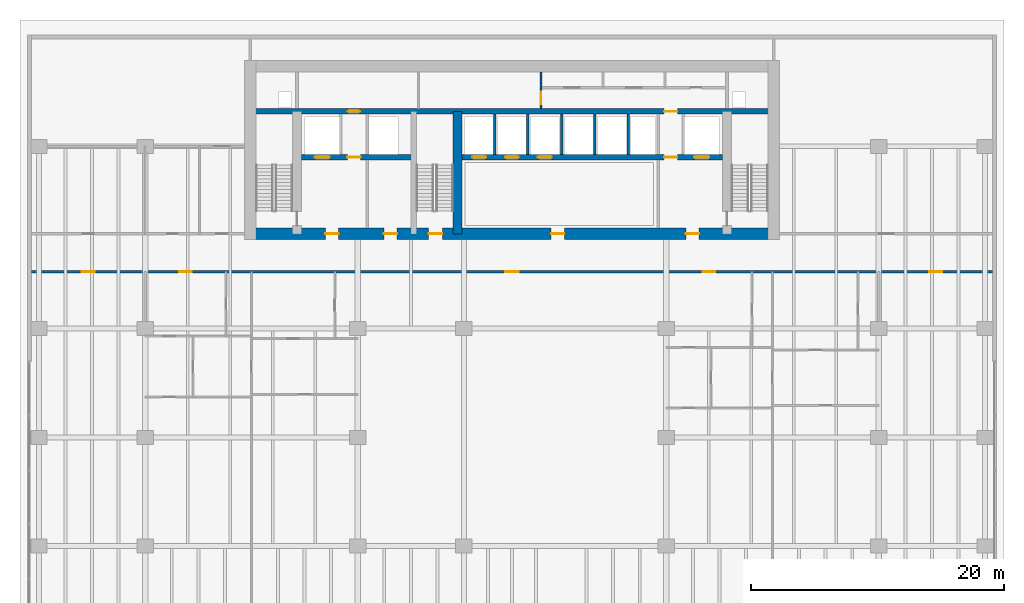
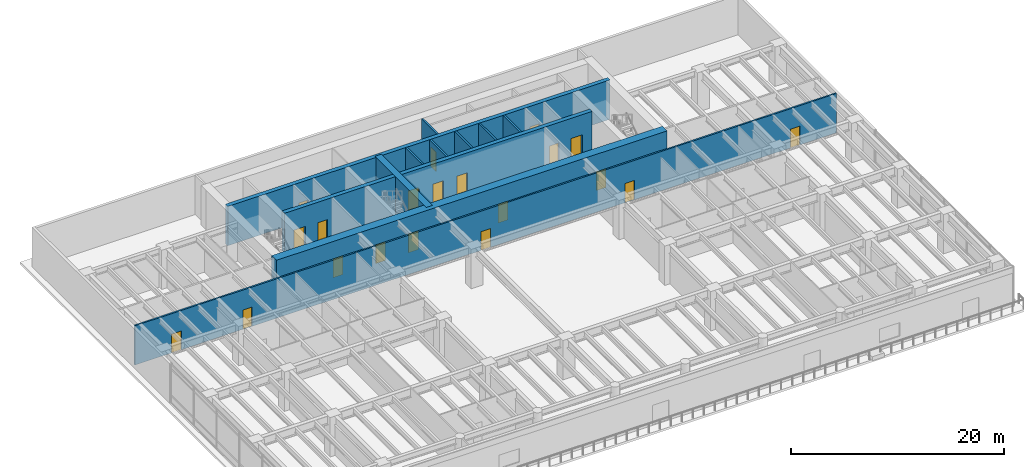
# One storey, part 10 of 17: 20 doors, 11 walls, 20 openings.
"""IFC4 building model written with IfcOpenShell, lengths in metres."""

from ifc_helpers import new_model, si_unit, direction, frame, frame_2d, origin, place, context, subcontext, project, spatial, rectangle, extrude, material, layer, layer_set, type_object, element, fill, save


model = new_model("IFC4")

# Units and contexts
model_context = context("Model", 3, precision=1e-05, world=origin(), true_north=direction((0.0, 1.0)))
body_context = subcontext(model_context, "Body", "Model", "MODEL_VIEW")
ifc_project = project(units=[si_unit("LENGTHUNIT", "METRE"), si_unit("AREAUNIT", "SQUARE_METRE"), si_unit("VOLUMEUNIT", "CUBIC_METRE"), si_unit("PLANEANGLEUNIT", "RADIAN"), si_unit("MASSUNIT", "GRAM", prefix="KILO")], contexts=[model_context])

# Site, building, storey
site_placement = place(None, origin())
site = spatial("IfcSite", under=ifc_project, at=site_placement, CompositionType="ELEMENT")
building_placement = place(site_placement, origin())
building = spatial("IfcBuilding", under=site, at=building_placement, Name="Caelmar Bay Residences", CompositionType="ELEMENT")
storey_placement = place(building_placement, frame((0.0, 0.0, 10.199951171875)))
storey = spatial("IfcBuildingStorey", under=building, at=storey_placement, Name="L02", CompositionType="ELEMENT", Elevation=10.199951171875)

# Wall
ifc_material_1 = material(Name="Concrete f'c 55 MPa (8,000 psi)", Category="concrete")
ifc_layer_1 = layer(ifc_material_1, 0.699951171875)
ifc_layer_set_1 = layer_set([ifc_layer_1], Name="Concrete f'c 55 MPa (8,000 psi)")
wall_type_1 = type_object("IfcWallType", Name="SW-COR-700", PredefinedType="SHEAR", material=ifc_layer_set_1)
wall_1_placement = place(storey_placement, frame((34.60009765625, 36.89990234375, 0.0), z_axis=(0.0, 0.0, 1.0), x_axis=(0.0, 1.0, 0.0)))
element("IfcWall", 1, at=wall_1_placement, inside=storey, type_object=wall_type_1, Name="L02 Core Structural Web Wall ST3E", PredefinedType="SHEAR", context=body_context, shape_type="SweptSolid", body=[
    extrude(rectangle(XDim=9.675048828125, YDim=0.699951171875, at=frame_2d((4.83740234375, 0.0))), origin(), (0.0, 0.0, 1.0), 4.5),
])

# Wall, openings, doors
ifc_material_2 = material(Name="Concrete f'c 70 MPa (10,000 psi)", Category="concrete")
ifc_layer_2 = layer(ifc_material_2, 0.89990234375)
ifc_layer_set_2 = layer_set([ifc_layer_2], Name="Concrete f'c 70 MPa (10,000 psi)")
wall_type_2 = type_object("IfcWallType", Name="SW-COR-900", PredefinedType="SHEAR", material=ifc_layer_set_2)
wall_2_placement = place(storey_placement, frame((17.75, 36.89990234375, 0.0), z_axis=(0.0, 0.0, 1.0), x_axis=(1.0, 0.0, 0.0)))
wall_2 = element("IfcWall", 2, at=wall_2_placement, inside=storey, type_object=wall_type_2, Name="L02 Rear Core South Shear Wall", PredefinedType="SHEAR", context=body_context, shape_type="SweptSolid", body=[
    extrude(rectangle(XDim=42.300048828125, YDim=0.89990234375, at=frame_2d((21.14990234375, 0.0))), origin(), (0.0, 0.0, 1.0), 4.5),
])
opening_1_placement = place(wall_2_placement, frame((14.550048828125, 0.0, 0.0)))
opening_1 = element("IfcOpeningElement", 3, at=opening_1_placement, cuts=wall_2, Name="Opening D-L02-106", PredefinedType="OPENING", context=body_context, shape_type="SweptSolid", body=[
    extrude(rectangle(XDim=1.10009765625, YDim=2.14990234375, at=frame_2d((0.550048828125, 1.074951171875))), frame((0.0, 0.4599609375, 0.0), z_axis=(0.0, -1.0, 0.0), x_axis=(1.0, 0.0, 0.0)), (0.0, 0.0, 1.0), 0.919921875),
])
opening_2_placement = place(wall_2_placement, frame((6.39990234375, 0.0, 0.0)))
opening_2 = element("IfcOpeningElement", 4, at=opening_2_placement, cuts=wall_2, Name="Opening D-L02-107", PredefinedType="OPENING", context=body_context, shape_type="SweptSolid", body=[
    extrude(rectangle(XDim=1.050048828125, YDim=2.14990234375, at=frame_2d((0.52490234375, 1.074951171875))), frame((0.0, 0.4599609375, 0.0), z_axis=(0.0, -1.0, 0.0), x_axis=(1.0, 0.0, 0.0)), (0.0, 0.0, 1.0), 0.919921875),
])
opening_3_placement = place(wall_2_placement, frame((34.89990234375, 0.0, 0.0)))
opening_3 = element("IfcOpeningElement", 5, at=opening_3_placement, cuts=wall_2, Name="Opening D-L02-110", PredefinedType="OPENING", context=body_context, shape_type="SweptSolid", body=[
    extrude(rectangle(XDim=1.050048828125, YDim=2.14990234375, at=frame_2d((0.52490234375, 1.074951171875))), frame((0.0, 0.4599609375, 0.0), z_axis=(0.0, -1.0, 0.0), x_axis=(1.0, 0.0, 0.0)), (0.0, 0.0, 1.0), 0.919921875),
])
opening_4_placement = place(wall_2_placement, frame((11.012451171875, 0.0, 0.0)))
opening_4 = element("IfcOpeningElement", 6, at=opening_4_placement, cuts=wall_2, Name="Opening D-L02-113", PredefinedType="OPENING", context=body_context, shape_type="SweptSolid", body=[
    extrude(rectangle(XDim=1.050048828125, YDim=2.14990234375, at=frame_2d((0.52490234375, 1.074951171875))), frame((0.0, 0.4599609375, 0.0), z_axis=(0.0, -1.0, 0.0), x_axis=(1.0, 0.0, 0.0)), (0.0, 0.0, 1.0), 0.919921875),
])
opening_5_placement = place(wall_2_placement, frame((24.25, 0.0, 0.0)))
opening_5 = element("IfcOpeningElement", 7, at=opening_5_placement, cuts=wall_2, Name="Opening D-L02-114", PredefinedType="OPENING", context=body_context, shape_type="SweptSolid", body=[
    extrude(rectangle(XDim=1.050048828125, YDim=2.14990234375, at=frame_2d((0.52490234375, 1.074951171875))), frame((0.0, 0.4599609375, 0.0), z_axis=(0.0, -1.0, 0.0), x_axis=(1.0, 0.0, 0.0)), (0.0, 0.0, 1.0), 0.919921875),
])
ifc_material_3 = material(Name="Fire-rated steel and walnut architectural door assembly", Category="steel")
ifc_layer_3 = layer(ifc_material_3, 0.050048828125)
ifc_layer_set_3 = layer_set([ifc_layer_3], Name="Fire-rated steel and walnut architectural door assembly")
door_type_1 = type_object("IfcDoorType", Name="D-FSAE-1050", OperationType="NOTDEFINED", PredefinedType="DOOR", material=ifc_layer_set_3)
door_1_placement = place(opening_2_placement, origin())
door_1 = element("IfcDoor", 8, at=door_1_placement, inside=storey, type_object=door_type_1, Name="L02 Firefighting Lobby West Door", OperationType="SINGLE_SWING_LEFT", OverallHeight=2.14990234375, OverallWidth=1.050048828125, PredefinedType="DOOR", context=body_context, shape_type="SweptSolid", body=[
    extrude(rectangle(XDim=1.050048828125, YDim=2.14990234375, at=frame_2d((0.52490234375, 1.074951171875))), frame((0.0, 0.02490234375, 0.0), z_axis=(0.0, -1.0, 0.0), x_axis=(1.0, 0.0, 0.0)), (0.0, 0.0, 1.0), 0.050048828125),
])
fill(opening_2, door_1)
door_2_placement = place(opening_3_placement, origin())
door_2 = element("IfcDoor", 9, at=door_2_placement, inside=storey, type_object=door_type_1, Name="L02 Firefighting Lobby East Door", OperationType="SINGLE_SWING_RIGHT", OverallHeight=2.14990234375, OverallWidth=1.050048828125, PredefinedType="DOOR", context=body_context, shape_type="SweptSolid", body=[
    extrude(rectangle(XDim=1.050048828125, YDim=2.14990234375, at=frame_2d((0.52490234375, 1.074951171875))), frame((0.0, 0.02490234375, 0.0), z_axis=(0.0, -1.0, 0.0), x_axis=(1.0, 0.0, 0.0)), (0.0, 0.0, 1.0), 0.050048828125),
])
fill(opening_3, door_2)
door_3_placement = place(opening_4_placement, origin())
door_3 = element("IfcDoor", 10, at=door_3_placement, inside=storey, type_object=door_type_1, Name="L02 West Lift Lobby Door", OperationType="SINGLE_SWING_LEFT", OverallHeight=2.14990234375, OverallWidth=1.050048828125, PredefinedType="DOOR", context=body_context, shape_type="SweptSolid", body=[
    extrude(rectangle(XDim=1.050048828125, YDim=2.14990234375, at=frame_2d((0.52490234375, 1.074951171875))), frame((0.0, 0.02490234375, 0.0), z_axis=(0.0, -1.0, 0.0), x_axis=(1.0, 0.0, 0.0)), (0.0, 0.0, 1.0), 0.050048828125),
])
fill(opening_4, door_3)
door_4_placement = place(opening_5_placement, origin())
door_4 = element("IfcDoor", 11, at=door_4_placement, inside=storey, type_object=door_type_1, Name="L02 Passenger Lift Lobby Door", OperationType="SINGLE_SWING_RIGHT", OverallHeight=2.14990234375, OverallWidth=1.050048828125, PredefinedType="DOOR", context=body_context, shape_type="SweptSolid", body=[
    extrude(rectangle(XDim=1.050048828125, YDim=2.14990234375, at=frame_2d((0.52490234375, 1.074951171875))), frame((0.0, 0.02490234375, 0.0), z_axis=(0.0, -1.0, 0.0), x_axis=(1.0, 0.0, 0.0)), (0.0, 0.0, 1.0), 0.050048828125),
])
fill(opening_5, door_4)
ifc_layer_4 = layer(ifc_material_3, 0.050048828125)
ifc_layer_set_4 = layer_set([ifc_layer_4], Name="Fire-rated steel and walnut architectural door assembly")
door_type_2 = type_object("IfcDoorType", Name="D-STAIR-1100", OperationType="NOTDEFINED", PredefinedType="DOOR", material=ifc_layer_set_4)
door_5_placement = place(opening_1_placement, origin())
door_5 = element("IfcDoor", 12, at=door_5_placement, inside=storey, type_object=door_type_2, Name="L02 Exit Stair ST3 Door", OperationType="SINGLE_SWING_RIGHT", OverallHeight=2.14990234375, OverallWidth=1.10009765625, PredefinedType="DOOR", context=body_context, shape_type="SweptSolid", body=[
    extrude(rectangle(XDim=1.10009765625, YDim=2.14990234375, at=frame_2d((0.550048828125, 1.074951171875))), frame((0.0, 0.02490234375, 0.0), z_axis=(0.0, -1.0, 0.0), x_axis=(1.0, 0.0, 0.0)), (0.0, 0.0, 1.0), 0.050048828125),
])
fill(opening_1, door_5)

ifc_layer_5 = layer(ifc_material_2, 0.449951171875)
ifc_layer_set_5 = layer_set([ifc_layer_5], Name="Concrete f'c 70 MPa (10,000 psi)")
wall_type_3 = type_object("IfcWallType", Name="SW-WEB-450", PredefinedType="SHEAR", material=ifc_layer_set_5)
wall_3_placement = place(storey_placement, frame((22.25, 42.949951171875, 0.0), z_axis=(0.0, 0.0, 1.0), x_axis=(1.0, 0.0, 0.0)))
wall_3 = element("IfcWall", 13, at=wall_3_placement, inside=storey, type_object=wall_type_3, Name="L02 Core Structural Web Wall LFR", PredefinedType="SHEAR", context=body_context, shape_type="SweptSolid", body=[
    extrude(rectangle(XDim=33.300048828125, YDim=0.449951171875, at=frame_2d((16.64990234375, 0.0))), origin(), (0.0, 0.0, 1.0), 4.5),
])
opening_6_placement = place(wall_3_placement, frame((1.050048828125, 0.0, 0.0)))
opening_6 = element("IfcOpeningElement", 14, at=opening_6_placement, cuts=wall_3, Name="Opening LD2", PredefinedType="OPENING", context=body_context, shape_type="SweptSolid", body=[
    extrude(rectangle(XDim=1.199951171875, YDim=2.199951171875, at=frame_2d((0.60009765625, 1.10009765625))), frame((0.0, 0.23486328125, 0.0), z_axis=(0.0, -1.0, 0.0), x_axis=(1.0, 0.0, 0.0)), (0.0, 0.0, 1.0), 0.469970703125),
])
opening_7_placement = place(wall_3_placement, frame((31.050048828125, 0.0, 0.0)))
opening_7 = element("IfcOpeningElement", 15, at=opening_7_placement, cuts=wall_3, Name="Opening LD2", PredefinedType="OPENING", context=body_context, shape_type="SweptSolid", body=[
    extrude(rectangle(XDim=1.199951171875, YDim=2.199951171875, at=frame_2d((0.60009765625, 1.10009765625))), frame((0.0, 0.23486328125, 0.0), z_axis=(0.0, -1.0, 0.0), x_axis=(1.0, 0.0, 0.0)), (0.0, 0.0, 1.0), 0.469970703125),
])
opening_8_placement = place(wall_3_placement, frame((13.5, 0.0, 0.0)))
opening_8 = element("IfcOpeningElement", 16, at=opening_8_placement, cuts=wall_3, Name="Opening LD1", PredefinedType="OPENING", context=body_context, shape_type="SweptSolid", body=[
    extrude(rectangle(XDim=1.10009765625, YDim=2.199951171875, at=frame_2d((0.550048828125, 1.10009765625))), frame((0.0, 0.23486328125, 0.0), z_axis=(0.0, -1.0, 0.0), x_axis=(1.0, 0.0, 0.0)), (0.0, 0.0, 1.0), 0.469970703125),
])
opening_9_placement = place(wall_3_placement, frame((16.10009765625, 0.0, 0.0)))
opening_9 = element("IfcOpeningElement", 17, at=opening_9_placement, cuts=wall_3, Name="Opening LD1", PredefinedType="OPENING", context=body_context, shape_type="SweptSolid", body=[
    extrude(rectangle(XDim=1.10009765625, YDim=2.199951171875, at=frame_2d((0.550048828125, 1.10009765625))), frame((0.0, 0.23486328125, 0.0), z_axis=(0.0, -1.0, 0.0), x_axis=(1.0, 0.0, 0.0)), (0.0, 0.0, 1.0), 0.469970703125),
])
opening_10_placement = place(wall_3_placement, frame((18.699951171875, 0.0, 0.0)))
opening_10 = element("IfcOpeningElement", 18, at=opening_10_placement, cuts=wall_3, Name="Opening LD1", PredefinedType="OPENING", context=body_context, shape_type="SweptSolid", body=[
    extrude(rectangle(XDim=1.10009765625, YDim=2.199951171875, at=frame_2d((0.550048828125, 1.10009765625))), frame((0.0, 0.23486328125, 0.0), z_axis=(0.0, -1.0, 0.0), x_axis=(1.0, 0.0, 0.0)), (0.0, 0.0, 1.0), 0.469970703125),
])
opening_11_placement = place(wall_3_placement, frame((3.625, 0.0, 0.0)))
opening_11 = element("IfcOpeningElement", 19, at=opening_11_placement, cuts=wall_3, Name="Opening D-L02-109", PredefinedType="OPENING", context=body_context, shape_type="SweptSolid", body=[
    extrude(rectangle(XDim=1.050048828125, YDim=2.14990234375, at=frame_2d((0.52490234375, 1.074951171875))), frame((0.0, 0.23486328125, 0.0), z_axis=(0.0, -1.0, 0.0), x_axis=(1.0, 0.0, 0.0)), (0.0, 0.0, 1.0), 0.469970703125),
])
opening_12_placement = place(wall_3_placement, frame((28.675048828125, 0.0, 0.0)))
opening_12 = element("IfcOpeningElement", 20, at=opening_12_placement, cuts=wall_3, Name="Opening D-L02-112", PredefinedType="OPENING", context=body_context, shape_type="SweptSolid", body=[
    extrude(rectangle(XDim=1.050048828125, YDim=2.14990234375, at=frame_2d((0.52490234375, 1.074951171875))), frame((0.0, 0.23486328125, 0.0), z_axis=(0.0, -1.0, 0.0), x_axis=(1.0, 0.0, 0.0)), (0.0, 0.0, 1.0), 0.469970703125),
])
door_6_placement = place(opening_11_placement, origin())
door_6 = element("IfcDoor", 21, at=door_6_placement, inside=storey, type_object=door_type_1, Name="L02 Firefighting Lobby West Door", OperationType="SINGLE_SWING_LEFT", OverallHeight=2.14990234375, OverallWidth=1.050048828125, PredefinedType="DOOR", context=body_context, shape_type="SweptSolid", body=[
    extrude(rectangle(XDim=1.050048828125, YDim=2.14990234375, at=frame_2d((0.52490234375, 1.074951171875))), frame((0.0, 0.02490234375, 0.0), z_axis=(0.0, -1.0, 0.0), x_axis=(1.0, 0.0, 0.0)), (0.0, 0.0, 1.0), 0.050048828125),
])
fill(opening_11, door_6)
door_7_placement = place(opening_12_placement, origin())
door_7 = element("IfcDoor", 22, at=door_7_placement, inside=storey, type_object=door_type_1, Name="L02 Firefighting Lobby East Door", OperationType="SINGLE_SWING_RIGHT", OverallHeight=2.14990234375, OverallWidth=1.050048828125, PredefinedType="DOOR", context=body_context, shape_type="SweptSolid", body=[
    extrude(rectangle(XDim=1.050048828125, YDim=2.14990234375, at=frame_2d((0.52490234375, 1.074951171875))), frame((0.0, 0.02490234375, 0.0), z_axis=(0.0, -1.0, 0.0), x_axis=(1.0, 0.0, 0.0)), (0.0, 0.0, 1.0), 0.050048828125),
])
fill(opening_12, door_7)
ifc_material_4 = material(Name="Brushed bronze stainless-steel fire-rated lift landing doors", Category="steel")
ifc_layer_6 = layer(ifc_material_4, 0.050048828125)
ifc_layer_set_6 = layer_set([ifc_layer_6], Name="Brushed bronze stainless-steel fire-rated lift landing doors")
door_type_3 = type_object("IfcDoorType", Name="D-LND-1100", OperationType="DOUBLE_DOOR_SLIDING", PredefinedType="DOOR", material=ifc_layer_set_6)
door_8_placement = place(opening_8_placement, origin())
door_8 = element("IfcDoor", 23, at=door_8_placement, inside=storey, type_object=door_type_3, Name="L02 LP1 Sliding Landing Door", OperationType="DOUBLE_DOOR_SLIDING", OverallHeight=2.199951171875, OverallWidth=1.10009765625, PredefinedType="DOOR", context=body_context, shape_type="SweptSolid", body=[
    extrude(rectangle(XDim=1.10009765625, YDim=2.199951171875, at=frame_2d((0.550048828125, 1.10009765625))), frame((0.0, 0.02490234375, 0.0), z_axis=(0.0, -1.0, 0.0), x_axis=(1.0, 0.0, 0.0)), (0.0, 0.0, 1.0), 0.050048828125),
])
fill(opening_8, door_8)
door_9_placement = place(opening_9_placement, origin())
door_9 = element("IfcDoor", 24, at=door_9_placement, inside=storey, type_object=door_type_3, Name="L02 LP2 Sliding Landing Door", OperationType="DOUBLE_DOOR_SLIDING", OverallHeight=2.199951171875, OverallWidth=1.10009765625, PredefinedType="DOOR", context=body_context, shape_type="SweptSolid", body=[
    extrude(rectangle(XDim=1.10009765625, YDim=2.199951171875, at=frame_2d((0.550048828125, 1.10009765625))), frame((0.0, 0.02490234375, 0.0), z_axis=(0.0, -1.0, 0.0), x_axis=(1.0, 0.0, 0.0)), (0.0, 0.0, 1.0), 0.050048828125),
])
fill(opening_9, door_9)
door_10_placement = place(opening_10_placement, origin())
door_10 = element("IfcDoor", 25, at=door_10_placement, inside=storey, type_object=door_type_3, Name="L02 LP3 Sliding Landing Door", OperationType="DOUBLE_DOOR_SLIDING", OverallHeight=2.199951171875, OverallWidth=1.10009765625, PredefinedType="DOOR", context=body_context, shape_type="SweptSolid", body=[
    extrude(rectangle(XDim=1.10009765625, YDim=2.199951171875, at=frame_2d((0.550048828125, 1.10009765625))), frame((0.0, 0.02490234375, 0.0), z_axis=(0.0, -1.0, 0.0), x_axis=(1.0, 0.0, 0.0)), (0.0, 0.0, 1.0), 0.050048828125),
])
fill(opening_10, door_10)
ifc_material_5 = material(Name="Brushed stainless-steel FSAE sliding landing door", Category="steel")
ifc_layer_7 = layer(ifc_material_5, 0.050048828125)
ifc_layer_set_7 = layer_set([ifc_layer_7], Name="Brushed stainless-steel FSAE sliding landing door")
door_type_4 = type_object("IfcDoorType", Name="D-LND-1200", OperationType="DOUBLE_DOOR_SLIDING", PredefinedType="DOOR", material=ifc_layer_set_7)
door_11_placement = place(opening_6_placement, origin())
door_11 = element("IfcDoor", 26, at=door_11_placement, inside=storey, type_object=door_type_4, Name="L02 LF1 Sliding Landing Door", OperationType="DOUBLE_DOOR_SLIDING", OverallHeight=2.199951171875, OverallWidth=1.199951171875, PredefinedType="DOOR", context=body_context, shape_type="SweptSolid", body=[
    extrude(rectangle(XDim=1.199951171875, YDim=2.199951171875, at=frame_2d((0.60009765625, 1.10009765625))), frame((0.0, 0.02490234375, 0.0), z_axis=(0.0, -1.0, 0.0), x_axis=(1.0, 0.0, 0.0)), (0.0, 0.0, 1.0), 0.050048828125),
])
fill(opening_6, door_11)
door_12_placement = place(opening_7_placement, origin())
door_12 = element("IfcDoor", 27, at=door_12_placement, inside=storey, type_object=door_type_4, Name="L02 LF2 Sliding Landing Door", OperationType="DOUBLE_DOOR_SLIDING", OverallHeight=2.199951171875, OverallWidth=1.199951171875, PredefinedType="DOOR", context=body_context, shape_type="SweptSolid", body=[
    extrude(rectangle(XDim=1.199951171875, YDim=2.199951171875, at=frame_2d((0.60009765625, 1.10009765625))), frame((0.0, 0.02490234375, 0.0), z_axis=(0.0, -1.0, 0.0), x_axis=(1.0, 0.0, 0.0)), (0.0, 0.0, 1.0), 0.050048828125),
])
fill(opening_7, door_12)

wall_4_placement = place(storey_placement, frame((18.199951171875, 46.574951171875, 0.0), z_axis=(0.0, 0.0, 1.0), x_axis=(1.0, 0.0, 0.0)))
wall_4 = element("IfcWall", 28, at=wall_4_placement, inside=storey, type_object=wall_type_3, Name="L02 Core Structural Web Wall SRVS", PredefinedType="SHEAR", context=body_context, shape_type="SweptSolid", body=[
    extrude(rectangle(XDim=41.400146484375, YDim=0.449951171875, at=frame_2d((20.7001953125, 0.0))), origin(), (0.0, 0.0, 1.0), 4.5),
])
opening_13_placement = place(wall_4_placement, frame((7.699951171875, 0.0, 0.0)))
opening_13 = element("IfcOpeningElement", 29, at=opening_13_placement, cuts=wall_4, Name="Opening D-L02-115", PredefinedType="OPENING", context=body_context, shape_type="SweptSolid", body=[
    extrude(rectangle(XDim=1.0, YDim=2.199951171875, at=frame_2d((0.5, 1.10009765625))), frame((0.0, 0.23486328125, 0.0), z_axis=(0.0, -1.0, 0.0), x_axis=(1.0, 0.0, 0.0)), (0.0, 0.0, 1.0), 0.469970703125),
])
opening_14_placement = place(wall_4_placement, frame((32.72509765625, 0.0, 0.0)))
opening_14 = element("IfcOpeningElement", 30, at=opening_14_placement, cuts=wall_4, Name="Opening D-L02-116", PredefinedType="OPENING", context=body_context, shape_type="SweptSolid", body=[
    extrude(rectangle(XDim=1.050048828125, YDim=2.14990234375, at=frame_2d((0.52490234375, 1.074951171875))), frame((0.0, 0.23486328125, 0.0), z_axis=(0.0, -1.0, 0.0), x_axis=(1.0, 0.0, 0.0)), (0.0, 0.0, 1.0), 0.469970703125),
])
door_13_placement = place(opening_14_placement, origin())
door_13 = element("IfcDoor", 31, at=door_13_placement, inside=storey, type_object=door_type_1, Name="L02 East Core Service Corridor Door", OperationType="SINGLE_SWING_RIGHT", OverallHeight=2.14990234375, OverallWidth=1.050048828125, PredefinedType="DOOR", context=body_context, shape_type="SweptSolid", body=[
    extrude(rectangle(XDim=1.050048828125, YDim=2.14990234375, at=frame_2d((0.52490234375, 1.074951171875))), frame((0.0, 0.02490234375, 0.0), z_axis=(0.0, -1.0, 0.0), x_axis=(1.0, 0.0, 0.0)), (0.0, 0.0, 1.0), 0.050048828125),
])
fill(opening_14, door_13)
ifc_layer_8 = layer(ifc_material_3, 0.050048828125)
ifc_layer_set_8 = layer_set([ifc_layer_8], Name="Fire-rated steel and walnut architectural door assembly")
door_type_5 = type_object("IfcDoorType", Name="D-UNIT-1000", OperationType="NOTDEFINED", PredefinedType="DOOR", material=ifc_layer_set_8)
door_14_placement = place(opening_13_placement, origin())
door_14 = element("IfcDoor", 32, at=door_14_placement, inside=storey, type_object=door_type_5, Name="L02 Package Concierge Office Door", OperationType="SINGLE_SWING_LEFT", OverallHeight=2.199951171875, OverallWidth=1.0, PredefinedType="DOOR", context=body_context, shape_type="SweptSolid", body=[
    extrude(rectangle(XDim=1.0, YDim=2.199951171875, at=frame_2d((0.5, 1.10009765625))), frame((0.0, 0.02490234375, 0.0), z_axis=(0.0, -1.0, 0.0), x_axis=(1.0, 0.0, 0.0)), (0.0, 0.0, 1.0), 0.050048828125),
])
fill(opening_13, door_14)

# Wall, opening, door
ifc_material_6 = material(Name="Double-stud acoustic fire-rated gypsum partition 180 mm")
ifc_layer_9 = layer(ifc_material_6, 0.179931640625)
ifc_layer_set_9 = layer_set([ifc_layer_9], Name="Double-stud acoustic fire-rated gypsum partition 180 mm")
wall_type_4 = type_object("IfcWallType", Name="W-COR-200", PredefinedType="PARTITIONING", material=ifc_layer_set_9)
wall_5_placement = place(storey_placement, frame((41.199951171875, 46.794921875, 0.0), z_axis=(0.0, 0.0, 1.0), x_axis=(0.0, 1.0, 0.0)))
wall_5 = element("IfcWall", 33, at=wall_5_placement, inside=storey, type_object=wall_type_4, Name="L02 Partition Wall V017", PredefinedType="PARTITIONING", context=body_context, shape_type="SweptSolid", body=[
    extrude(rectangle(XDim=2.91015625, YDim=0.179931640625, at=frame_2d((1.455078125, 0.0))), origin(), (0.0, 0.0, 1.0), 4.5),
])
opening_15_placement = place(wall_5_placement, frame((0.327392578125, 0.0, 0.0)))
opening_15 = element("IfcOpeningElement", 34, at=opening_15_placement, cuts=wall_5, Name="Opening D-L02-117", PredefinedType="OPENING", context=body_context, shape_type="SweptSolid", body=[
    extrude(rectangle(XDim=1.0, YDim=2.199951171875, at=frame_2d((0.5, 1.10009765625))), frame((0.0, 0.099853515625, 0.0), z_axis=(0.0, -1.0, 0.0), x_axis=(1.0, 0.0, 0.0)), (0.0, 0.0, 1.0), 0.199951171875),
])
door_15_placement = place(opening_15_placement, origin())
door_15 = element("IfcDoor", 35, at=door_15_placement, inside=storey, type_object=door_type_5, Name="L02 Engineering Control Office Door", OperationType="SINGLE_SWING_LEFT", OverallHeight=2.199951171875, OverallWidth=1.0, PredefinedType="DOOR", context=body_context, shape_type="SweptSolid", body=[
    extrude(rectangle(XDim=1.0, YDim=2.199951171875, at=frame_2d((0.5, 1.10009765625))), frame((0.0, 0.02490234375, 0.0), z_axis=(0.0, -1.0, 0.0), x_axis=(1.0, 0.0, 0.0)), (0.0, 0.0, 1.0), 0.050048828125),
])
fill(opening_15, door_15)

# Wall, openings, doors
wall_6_placement = place(storey_placement, frame((0.89501953125, 33.89990234375, 0.0), z_axis=(0.0, 0.0, 1.0), x_axis=(1.0, 0.0, 0.0)))
wall_6 = element("IfcWall", 36, at=wall_6_placement, inside=storey, type_object=wall_type_4, Name="L02 Partition Wall H044", PredefinedType="PARTITIONING", context=body_context, shape_type="SweptSolid", body=[
    extrude(rectangle(XDim=76.010009765625, YDim=0.179931640625, at=frame_2d((38.0048828125, 0.0))), origin(), (0.0, 0.0, 1.0), 4.5),
])
opening_16_placement = place(wall_6_placement, frame((3.9775390625, 0.0, 0.0)))
opening_16 = element("IfcOpeningElement", 37, at=opening_16_placement, cuts=wall_6, Name="Opening D-L02-121", PredefinedType="OPENING", context=body_context, shape_type="SweptSolid", body=[
    extrude(rectangle(XDim=1.050048828125, YDim=2.14990234375, at=frame_2d((0.52490234375, 1.074951171875))), frame((0.0, 0.099853515625, 0.0), z_axis=(0.0, -1.0, 0.0), x_axis=(1.0, 0.0, 0.0)), (0.0, 0.0, 1.0), 0.199951171875),
])
opening_17_placement = place(wall_6_placement, frame((11.695068359375, 0.0, 0.0)))
opening_17 = element("IfcOpeningElement", 38, at=opening_17_placement, cuts=wall_6, Name="Opening D-L02-122", PredefinedType="OPENING", context=body_context, shape_type="SweptSolid", body=[
    extrude(rectangle(XDim=1.0, YDim=2.199951171875, at=frame_2d((0.5, 1.10009765625))), frame((0.0, 0.099853515625, 0.0), z_axis=(0.0, -1.0, 0.0), x_axis=(1.0, 0.0, 0.0)), (0.0, 0.0, 1.0), 0.199951171875),
])
opening_18_placement = place(wall_6_placement, frame((37.47998046875, 0.0, 0.0)))
opening_18 = element("IfcOpeningElement", 39, at=opening_18_placement, cuts=wall_6, Name="Opening D-L02-132", PredefinedType="OPENING", context=body_context, shape_type="SweptSolid", body=[
    extrude(rectangle(XDim=1.050048828125, YDim=2.14990234375, at=frame_2d((0.52490234375, 1.074951171875))), frame((0.0, 0.099853515625, 0.0), z_axis=(0.0, -1.0, 0.0), x_axis=(1.0, 0.0, 0.0)), (0.0, 0.0, 1.0), 0.199951171875),
])
opening_19_placement = place(wall_6_placement, frame((53.08544921875, 0.0, 0.0)))
opening_19 = element("IfcOpeningElement", 40, at=opening_19_placement, cuts=wall_6, Name="Opening D-L02-133", PredefinedType="OPENING", context=body_context, shape_type="SweptSolid", body=[
    extrude(rectangle(XDim=1.0, YDim=2.199951171875, at=frame_2d((0.5, 1.10009765625))), frame((0.0, 0.099853515625, 0.0), z_axis=(0.0, -1.0, 0.0), x_axis=(1.0, 0.0, 0.0)), (0.0, 0.0, 1.0), 0.199951171875),
])
opening_20_placement = place(wall_6_placement, frame((70.982421875, 0.0, 0.0)))
opening_20 = element("IfcOpeningElement", 41, at=opening_20_placement, cuts=wall_6, Name="Opening D-L02-143", PredefinedType="OPENING", context=body_context, shape_type="SweptSolid", body=[
    extrude(rectangle(XDim=1.050048828125, YDim=2.14990234375, at=frame_2d((0.52490234375, 1.074951171875))), frame((0.0, 0.099853515625, 0.0), z_axis=(0.0, -1.0, 0.0), x_axis=(1.0, 0.0, 0.0)), (0.0, 0.0, 1.0), 0.199951171875),
])
door_16_placement = place(opening_16_placement, origin())
door_16 = element("IfcDoor", 42, at=door_16_placement, inside=storey, type_object=door_type_1, Name="L02 West Co-Working Lounge L02 Door", OperationType="SINGLE_SWING_LEFT", OverallHeight=2.14990234375, OverallWidth=1.050048828125, PredefinedType="DOOR", context=body_context, shape_type="SweptSolid", body=[
    extrude(rectangle(XDim=1.050048828125, YDim=2.14990234375, at=frame_2d((0.52490234375, 1.074951171875))), frame((0.0, 0.02490234375, 0.0), z_axis=(0.0, -1.0, 0.0), x_axis=(1.0, 0.0, 0.0)), (0.0, 0.0, 1.0), 0.050048828125),
])
fill(opening_16, door_16)
door_17_placement = place(opening_18_placement, origin())
door_17 = element("IfcDoor", 43, at=door_17_placement, inside=storey, type_object=door_type_1, Name="L02 Residents Study Library L02 Door", OperationType="SINGLE_SWING_RIGHT", OverallHeight=2.14990234375, OverallWidth=1.050048828125, PredefinedType="DOOR", context=body_context, shape_type="SweptSolid", body=[
    extrude(rectangle(XDim=1.050048828125, YDim=2.14990234375, at=frame_2d((0.52490234375, 1.074951171875))), frame((0.0, 0.02490234375, 0.0), z_axis=(0.0, -1.0, 0.0), x_axis=(1.0, 0.0, 0.0)), (0.0, 0.0, 1.0), 0.050048828125),
])
fill(opening_18, door_17)
door_18_placement = place(opening_20_placement, origin())
door_18 = element("IfcDoor", 44, at=door_18_placement, inside=storey, type_object=door_type_1, Name="L02 Movement Pilates Studio L02 Door", OperationType="SINGLE_SWING_LEFT", OverallHeight=2.14990234375, OverallWidth=1.050048828125, PredefinedType="DOOR", context=body_context, shape_type="SweptSolid", body=[
    extrude(rectangle(XDim=1.050048828125, YDim=2.14990234375, at=frame_2d((0.52490234375, 1.074951171875))), frame((0.0, 0.02490234375, 0.0), z_axis=(0.0, -1.0, 0.0), x_axis=(1.0, 0.0, 0.0)), (0.0, 0.0, 1.0), 0.050048828125),
])
fill(opening_20, door_18)
door_19_placement = place(opening_17_placement, origin())
door_19 = element("IfcDoor", 45, at=door_19_placement, inside=storey, type_object=door_type_5, Name="L02 Residence 2A Apartment Hall Door", OperationType="SINGLE_SWING_RIGHT", OverallHeight=2.199951171875, OverallWidth=1.0, PredefinedType="DOOR", context=body_context, shape_type="SweptSolid", body=[
    extrude(rectangle(XDim=1.0, YDim=2.199951171875, at=frame_2d((0.5, 1.10009765625))), frame((0.0, 0.02490234375, 0.0), z_axis=(0.0, -1.0, 0.0), x_axis=(1.0, 0.0, 0.0)), (0.0, 0.0, 1.0), 0.050048828125),
])
fill(opening_17, door_19)
door_20_placement = place(opening_19_placement, origin())
door_20 = element("IfcDoor", 46, at=door_20_placement, inside=storey, type_object=door_type_5, Name="L02 Residence 2B Apartment Hall Door", OperationType="SINGLE_SWING_LEFT", OverallHeight=2.199951171875, OverallWidth=1.0, PredefinedType="DOOR", context=body_context, shape_type="SweptSolid", body=[
    extrude(rectangle(XDim=1.0, YDim=2.199951171875, at=frame_2d((0.5, 1.10009765625))), frame((0.0, 0.02490234375, 0.0), z_axis=(0.0, -1.0, 0.0), x_axis=(1.0, 0.0, 0.0)), (0.0, 0.0, 1.0), 0.050048828125),
])
fill(opening_19, door_20)

# Walls
ifc_material_7 = material(Name="Fire-rated masonry and gypsum shaftliner assembly 200 mm", Category="masonry")
ifc_layer_10 = layer(ifc_material_7, 0.199951171875)
ifc_layer_set_10 = layer_set([ifc_layer_10], Name="Fire-rated masonry and gypsum shaftliner assembly 200 mm")
wall_type_5 = type_object("IfcWallType", Name="W-FSAE-200", PredefinedType="PARTITIONING", material=ifc_layer_set_10)
for number, where, z_axis, x_axis, name in (
    (47, (37.550048828125, 43.169921875, 0.0), (0.0, 0.0, 1.0), (0.0, 1.0, 0.0), "L02 Partition Wall V015"),
    (48, (40.14990234375, 43.169921875, 0.0), (0.0, 0.0, 1.0), (0.0, 1.0, 0.0), "L02 Partition Wall V016"),
    (49, (42.85009765625, 43.169921875, 0.0), (0.0, 0.0, 1.0), (0.0, 1.0, 0.0), "L02 Partition Wall V018"),
    (50, (45.449951171875, 43.169921875, 0.0), (0.0, 0.0, 1.0), (0.0, 1.0, 0.0), "L02 Partition Wall V019"),
    (51, (48.10009765625, 43.169921875, 0.0), (0.0, 0.0, 1.0), (0.0, 1.0, 0.0), "L02 Partition Wall V021"),
):
    element("IfcWall", number, at=place(storey_placement, frame(where, z_axis=z_axis, x_axis=x_axis)), inside=storey, type_object=wall_type_5, Name=name, PredefinedType="PARTITIONING", context=body_context, shape_type="SweptSolid", body=[
        extrude(rectangle(XDim=3.18505859375, YDim=0.199951171875, at=frame_2d((1.592529296875, 0.0))), origin(), (0.0, 0.0, 1.0), 4.5),
    ])

save(model, "model.ifc")
